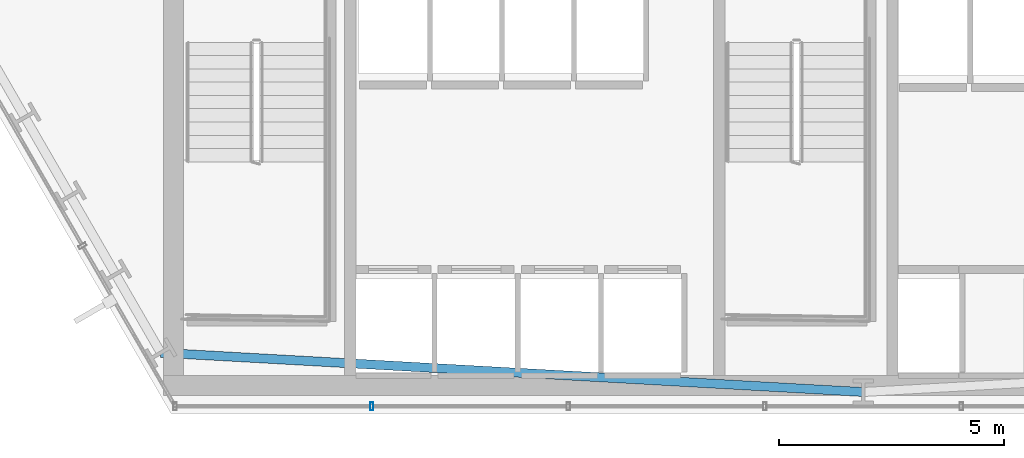
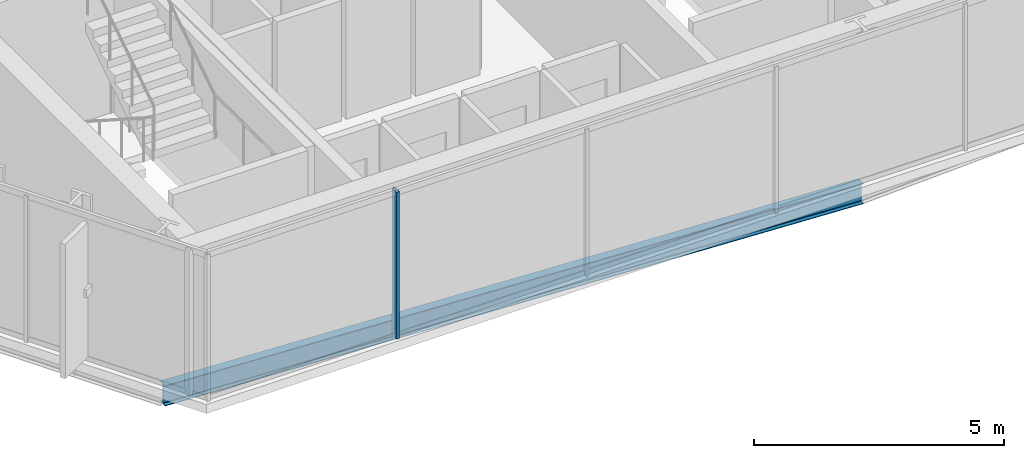
# One storey, part 3 of 33: 1 beam, 1 member, 1 element without a shape of its own.
"""IFC4 building model written with IfcOpenShell, lengths in metres."""

from ifc_helpers import new_model, si_unit, direction, frame, origin, origin_2d, place, context, subcontext, project, spatial, hollow_rectangle, i_section, extrude, material, layer, layer_set, material_profile, profile_set, type_object, element, aggregate, save


model = new_model("IFC4")

# Units and contexts
model_context = context("Model", 3, precision=1e-05, world=origin(), true_north=direction((0.0, 1.0)))
body_context = subcontext(model_context, "Body", "Model", "MODEL_VIEW")
ifc_project = project(units=[si_unit("LENGTHUNIT", "METRE"), si_unit("AREAUNIT", "SQUARE_METRE"), si_unit("VOLUMEUNIT", "CUBIC_METRE"), si_unit("PLANEANGLEUNIT", "RADIAN"), si_unit("MASSUNIT", "GRAM", prefix="KILO")], contexts=[model_context])

# Site, building, storey
site_placement = place(None, origin())
site = spatial("IfcSite", under=ifc_project, at=site_placement, CompositionType="ELEMENT")
building_placement = place(site_placement, origin())
building = spatial("IfcBuilding", under=site, at=building_placement, Name="Ndaravel Arena Tower", CompositionType="ELEMENT")
storey_placement = place(building_placement, frame((0.0, 0.0, 36.0)))
storey = spatial("IfcBuildingStorey", under=building, at=storey_placement, Name="L06", CompositionType="ELEMENT", Elevation=36.0)

# Beam
ifc_material_1 = material(Name="Steel S355", Category="steel")
ifc_material_profile_1 = material_profile(ifc_material_1, i_section(OverallWidth=0.199951171875, OverallDepth=0.5, WebThickness=0.01025390625, FlangeThickness=0.01611328125, FilletRadius=0.02099609375, at=origin_2d()), Name="IPE 500")
ifc_profile_set_1 = profile_set([ifc_material_profile_1], Name="Steel S355")
beam_type = type_object("IfcBeamType", Name="BM-SPAN-IPE500", PredefinedType="SPANDREL", material=ifc_profile_set_1)
beam_placement = place(storey_placement, frame((26.39306640625, 6.351806640625, -0.469970703125), z_axis=(0.998443390482, -0.055774510331, 0.0), x_axis=(0.055774510331, 0.998443390482, 0.0)))
element("IfcBeam", 1, at=beam_placement, inside=storey, type_object=beam_type, Name="L06 Perimeter Spandrel Beam SP-27", PredefinedType="SPANDREL", context=body_context, shape_type="SweptSolid", body=[
    extrude(i_section(OverallWidth=0.199951171875, OverallDepth=0.5, WebThickness=0.01025390625, FlangeThickness=0.01611328125, FilletRadius=0.02099609375, at=origin_2d()), origin(), (0.0, 0.0, 1.0), 15.63134765625),
])

# Curtain wall, member
ifc_material_2 = material(Name="Aluminium", Category="aluminium")
ifc_layer = layer(ifc_material_2, 0.179931640625)
ifc_layer_set = layer_set([ifc_layer], Name="Aluminium")
curtain_wall_type = type_object("IfcCurtainWallType", Name="CW-SYS-03", PredefinedType="NOTDEFINED", material=ifc_layer_set)
curtain_wall_placement = place(storey_placement, origin())
curtain_wall = element("IfcCurtainWall", 2, at=curtain_wall_placement, inside=storey, type_object=curtain_wall_type, Name="L06 Faceted Crystal Curtain Wall CW-L06-E01", PredefinedType="NOTDEFINED")
ifc_material_3 = material(Name="Aluminium", Category="aluminium")
ifc_material_profile_2 = material_profile(ifc_material_3, hollow_rectangle(XDim=0.074951171875, YDim=0.179931640625, WallThickness=0.00390625, at=origin_2d()), Name="CW MULLION 75x180x4")
ifc_profile_set_2 = profile_set([ifc_material_profile_2], Name="Aluminium")
member_type = type_object("IfcMemberType", Name="MEM-CW-MUL180", PredefinedType="MULLION", material=ifc_profile_set_2)
member_placement = place(storey_placement, frame((31.079833984375, 5.159912109375, 0.0), z_axis=(0.0, 0.0, 1.0), x_axis=(1.0, 0.0, 0.0)))
member = element("IfcMember", 3, at=member_placement, type_object=member_type, Name="CW-L06-E01 Mullion 01", PredefinedType="MULLION", context=body_context, shape_type="SweptSolid", body=[
    extrude(hollow_rectangle(XDim=0.074951171875, YDim=0.179931640625, WallThickness=0.00390625, at=origin_2d()), origin(), (0.0, 0.0, 1.0), 3.580078125),
])
aggregate(curtain_wall, [member])

save(model, "model.ifc")
